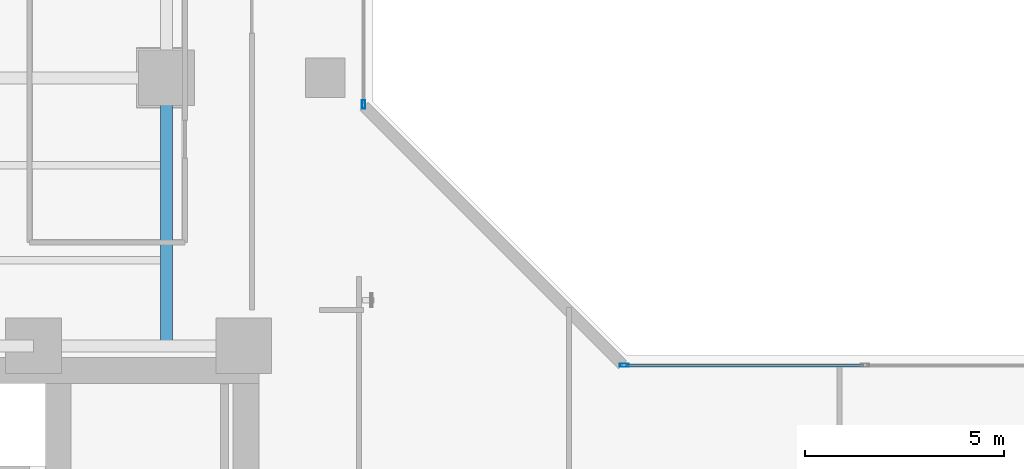
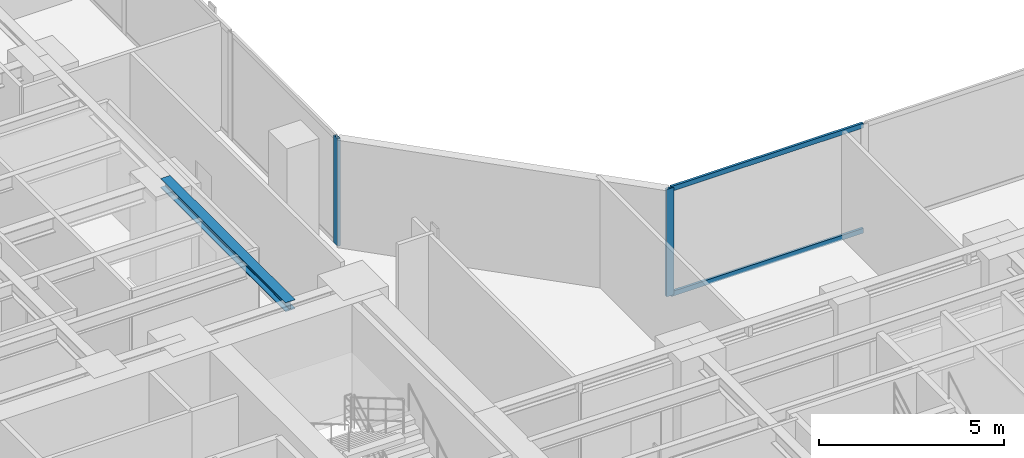
# One storey, part 9 of 26: 4 members, 1 beam, 2 elements without a shape of their own.
"""IFC4 building model written with IfcOpenShell, lengths in metres."""

from ifc_helpers import new_model, si_unit, direction, frame, origin, origin_with_axes, origin_2d, place, context, subcontext, project, spatial, hollow_rectangle, i_section, extrude, source, transform, mapped, material, layer, layer_set, material_profile, profile_set, type_object, element, aggregate, save


model = new_model("IFC4")

# Units and contexts
model_context = context("Model", 3, precision=1e-05, world=origin(), true_north=direction((0.0, 1.0)))
body_context = subcontext(model_context, "Body", "Model", "MODEL_VIEW")
ifc_project = project(units=[si_unit("LENGTHUNIT", "METRE"), si_unit("AREAUNIT", "SQUARE_METRE"), si_unit("VOLUMEUNIT", "CUBIC_METRE"), si_unit("PLANEANGLEUNIT", "RADIAN"), si_unit("MASSUNIT", "GRAM", prefix="KILO")], contexts=[model_context])

# Site, building, storey
site_placement = place(None, origin())
site = spatial("IfcSite", under=ifc_project, at=site_placement, CompositionType="ELEMENT")
building_placement = place(site_placement, origin())
building = spatial("IfcBuilding", under=site, at=building_placement, Name="Kolvaren Waterfront Exchange", CompositionType="ELEMENT")
storey_placement = place(building_placement, frame((0.0, 0.0, 125.89990234375)))
storey = spatial("IfcBuildingStorey", under=building, at=storey_placement, Name="L32", CompositionType="ELEMENT", Elevation=125.89990234375)

# Beam
ifc_material_1 = material(Name="Steel S355", Category="steel")
ifc_material_profile_1 = material_profile(ifc_material_1, i_section(OverallWidth=0.300048828125, OverallDepth=0.300048828125, WebThickness=0.010986328125, FlangeThickness=0.01904296875, FilletRadius=0.027099609375, at=origin_2d()), Name="HEB300")
ifc_profile_set_1 = profile_set([ifc_material_profile_1], Name="Steel S355")
beam_type = type_object("IfcBeamType", Name="STR-BM-HEB300", PredefinedType="SPANDREL", material=ifc_profile_set_1)
beam_placement = place(storey_placement, frame((18.800048828125, 24.449951171875, 3.39013671875), z_axis=(0.0, 1.0, 0.0), x_axis=(-1.0, 0.0, 0.0)))
element("IfcBeam", 1, at=beam_placement, inside=storey, type_object=beam_type, Name="L32 north-arm edge beam 1", PredefinedType="SPANDREL", context=body_context, shape_type="SweptSolid", body=[
    extrude(i_section(OverallWidth=0.300048828125, OverallDepth=0.300048828125, WebThickness=0.010986328125, FlangeThickness=0.01904296875, FilletRadius=0.027099609375, at=origin_2d()), origin(), (0.0, 0.0, 1.0), 6.75),
])

# Curtain wall, member
ifc_material_2 = material(Name="Anodised bronze aluminium 6063-T6", Category="aluminium")
ifc_layer = layer(ifc_material_2, 0.219970703125, Name="Anodised bronze aluminium 6063-T6")
ifc_layer_set = layer_set([ifc_layer], Name="Anodised bronze aluminium 6063-T6")
curtain_wall_type = type_object("IfcCurtainWallType", Name="ARC-CW-SYS1", PredefinedType="USERDEFINED", material=ifc_layer_set)
curtain_wall_1_placement = place(storey_placement, origin())
curtain_wall_1 = element("IfcCurtainWall", 2, at=curtain_wall_1_placement, inside=storey, type_object=curtain_wall_type, Name="L32 stick curtain wall CW1 (CW-L32-NE)", ObjectType="STICK CURTAIN WALL", PredefinedType="USERDEFINED")
ifc_material_3 = material(Name="Anodised aluminium 6063-T6", Category="aluminium")
ifc_material_profile_2 = material_profile(ifc_material_3, hollow_rectangle(XDim=0.080078125, YDim=0.219970703125, WallThickness=0.0048828125, at=origin_2d()), Name="ALU-MUL-220x80x5")
ifc_profile_set_2 = profile_set([ifc_material_profile_2], Name="Anodised aluminium 6063-T6")
member_type_1 = type_object("IfcMemberType", Name="ARC-CWM-220", PredefinedType="MULLION", material=ifc_profile_set_2)
shared_shape_1 = source(origin_with_axes(), body_context, "Body", "SweptSolid", [
    extrude(hollow_rectangle(XDim=0.080078125, YDim=0.219970703125, WallThickness=0.0048828125, at=origin_2d()), origin(), (0.0, 0.0, 1.0), 3.5400390625),
])
member_1_placement = place(storey_placement, frame((23.760009765625, 30.530029296875, 0.0), z_axis=(0.0, 0.0, 1.0), x_axis=(-1.0, 0.0, 0.0)))
member_1 = element("IfcMember", 3, at=member_1_placement, type_object=member_type_1, Name="CW1 mullion 1", PredefinedType="MULLION", context=body_context, shape_type="MappedRepresentation", body=[
    mapped(shared_shape_1, transform((0.0, 0.0, 0.0), x_axis=(1.0, 0.0, 0.0), y_axis=(0.0, 1.0, 0.0), z_axis=(0.0, 0.0, 1.0), scale=1.0)),
])
aggregate(curtain_wall_1, [member_1])

# Curtain wall, members
curtain_wall_2_placement = place(storey_placement, origin())
curtain_wall_2 = element("IfcCurtainWall", 4, at=curtain_wall_2_placement, inside=storey, type_object=curtain_wall_type, Name="L32 stick curtain wall CW1 (CW-L32-EN)", ObjectType="STICK CURTAIN WALL", PredefinedType="USERDEFINED")
member_2_placement = place(storey_placement, frame((30.330078125, 23.9599609375, 0.0), z_axis=(0.0, 0.0, 1.0), x_axis=(0.0, 1.0, 0.0)))
member_2 = element("IfcMember", 5, at=member_2_placement, type_object=member_type_1, Name="CW1 mullion 1", PredefinedType="MULLION", context=body_context, shape_type="MappedRepresentation", body=[
    mapped(shared_shape_1, transform((0.0, 0.0, 0.0), x_axis=(1.0, 0.0, 0.0), y_axis=(0.0, 1.0, 0.0), z_axis=(0.0, 0.0, 1.0), scale=1.0)),
])
ifc_material_profile_3 = material_profile(ifc_material_3, hollow_rectangle(XDim=0.074951171875, YDim=0.159912109375, WallThickness=0.00439453125, at=origin_2d()), Name="ALU-TRN-160x75x4.5")
ifc_profile_set_3 = profile_set([ifc_material_profile_3], Name="Anodised aluminium 6063-T6")
member_type_2 = type_object("IfcMemberType", Name="ARC-CWT-160", PredefinedType="USERDEFINED", material=ifc_profile_set_3)
shared_shape_2 = source(origin_with_axes(), body_context, "Body", "SweptSolid", [
    extrude(hollow_rectangle(XDim=0.074951171875, YDim=0.159912109375, WallThickness=0.00439453125, at=origin_2d()), origin(), (0.0, 0.0, 1.0), 5.982421875),
])
member_3_placement = place(storey_placement, frame((30.3701171875, 23.9599609375, 0.03759765625), z_axis=(1.0, 0.0, 0.0), x_axis=(0.0, 1.0, 0.0)))
member_3 = element("IfcMember", 6, at=member_3_placement, type_object=member_type_2, Name="CW1 transom 1.1", ObjectType="TRANSOM", PredefinedType="USERDEFINED", context=body_context, shape_type="MappedRepresentation", body=[
    mapped(shared_shape_2, transform((0.0, 0.0, 0.0), x_axis=(1.0, 0.0, 0.0), y_axis=(0.0, 1.0, 0.0), z_axis=(0.0, 0.0, 1.0), scale=1.0)),
])
member_4_placement = place(storey_placement, frame((30.3701171875, 23.9599609375, 3.502685546875), z_axis=(1.0, 0.0, 0.0), x_axis=(0.0, 1.0, 0.0)))
member_4 = element("IfcMember", 7, at=member_4_placement, type_object=member_type_2, Name="CW1 transom 1.2", ObjectType="TRANSOM", PredefinedType="USERDEFINED", context=body_context, shape_type="MappedRepresentation", body=[
    mapped(shared_shape_2, transform((0.0, 0.0, 0.0), x_axis=(1.0, 0.0, 0.0), y_axis=(0.0, 1.0, 0.0), z_axis=(0.0, 0.0, 1.0), scale=1.0)),
])
aggregate(curtain_wall_2, [member_2, member_3, member_4])

save(model, "model.ifc")
